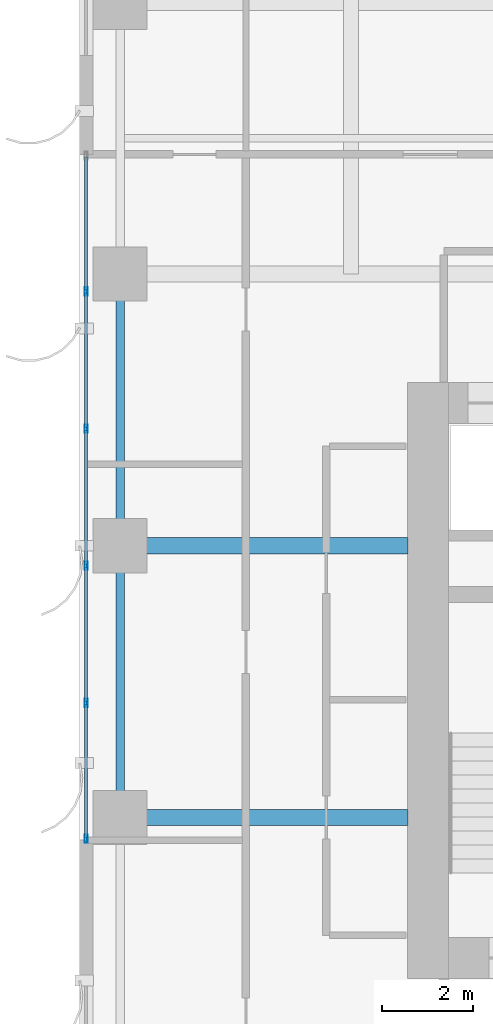
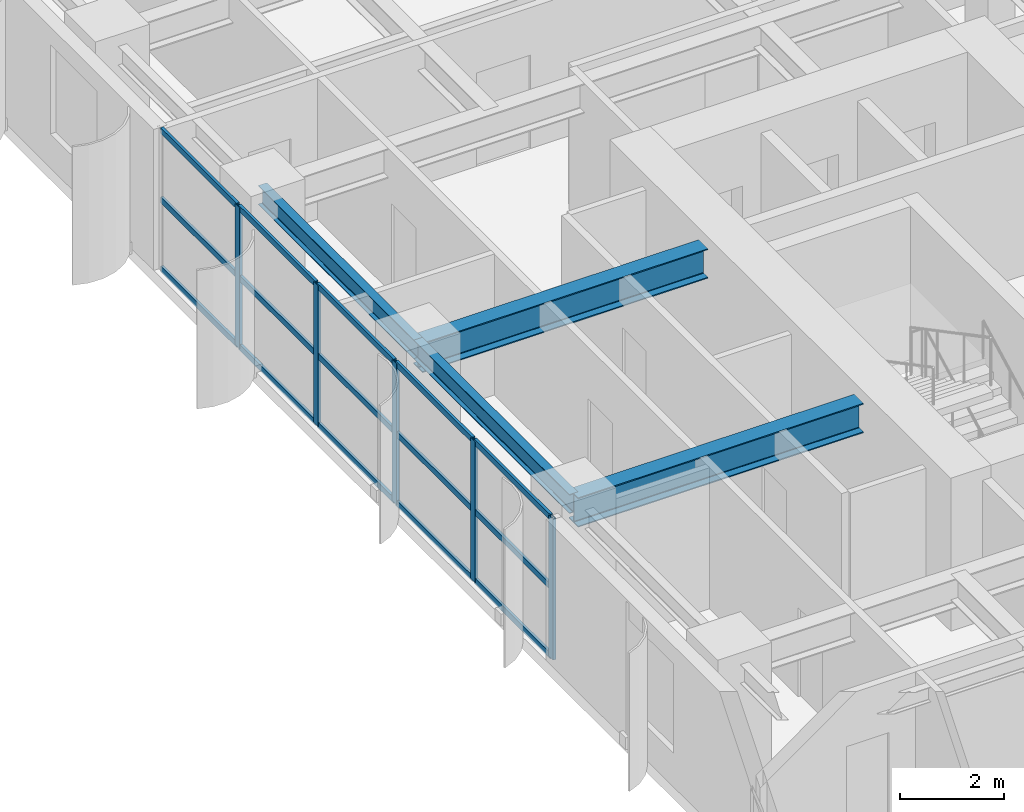
# One storey, part 7 of 25: 20 members, 4 beams, 1 element without a shape of its own.
"""IFC4 building model written with IfcOpenShell, lengths in metres."""

from ifc_helpers import new_model, si_unit, direction, frame, origin, origin_2d, place, context, subcontext, project, spatial, hollow_rectangle, i_section, extrude, source, transform, mapped, material, layer, layer_set, material_profile, profile_set, type_object, element, aggregate, save


model = new_model("IFC4")

# Units and contexts
model_context = context("Model", 3, precision=1e-05, world=origin(), true_north=direction((0.0, 1.0)))
body_context = subcontext(model_context, "Body", "Model", "MODEL_VIEW")
ifc_project = project(units=[si_unit("LENGTHUNIT", "METRE"), si_unit("AREAUNIT", "SQUARE_METRE"), si_unit("VOLUMEUNIT", "CUBIC_METRE"), si_unit("PLANEANGLEUNIT", "RADIAN"), si_unit("MASSUNIT", "GRAM", prefix="KILO")], contexts=[model_context])

# Site, building, storey
site_placement = place(None, origin())
site = spatial("IfcSite", under=ifc_project, at=site_placement, CompositionType="ELEMENT")
building_placement = place(site_placement, origin())
building = spatial("IfcBuilding", under=site, at=building_placement, Name="Khoralis Quay Care Tower", CompositionType="ELEMENT")
storey_placement = place(building_placement, frame((0.0, 0.0, 51.300048828125)))
storey = spatial("IfcBuildingStorey", under=building, at=storey_placement, Name="L13", CompositionType="ELEMENT", Elevation=51.300048828125)

# Beams
ifc_material_1 = material(Name="Steel S355", Category="steel")
ifc_material_profile_1 = material_profile(ifc_material_1, i_section(OverallWidth=0.18994140625, OverallDepth=0.449951171875, WebThickness=0.009521484375, FlangeThickness=0.0146484375, FilletRadius=0.02099609375, at=origin_2d()), Name="Steel S355")
ifc_profile_set_1 = profile_set([ifc_material_profile_1], Name="Steel S355")
beam_type_1 = type_object("IfcBeamType", Name="BM-IPE450", PredefinedType="SPANDREL", material=ifc_profile_set_1)
shared_shape_1 = source(origin(), body_context, "Body", "SweptSolid", [
    extrude(i_section(OverallWidth=0.18994140625, OverallDepth=0.449951171875, WebThickness=0.009521484375, FlangeThickness=0.0146484375, FilletRadius=0.02099609375, at=origin_2d()), origin(), (0.0, 0.0, 1.0), 6.0),
])
for number, where, z_axis, x_axis, name in (
    (1, (0.89990234375, 18.0, 3.094970703125), (0.0, 1.0, 0.0), (-1.0, 0.0, 0.0), "BM-TSP-L13-15"),
    (2, (0.89990234375, 24.0, 3.094970703125), (0.0, 1.0, 0.0), (-1.0, 0.0, 0.0), "BM-TSP-L13-16"),
):
    element("IfcBeam", number, at=place(storey_placement, frame(where, z_axis=z_axis, x_axis=x_axis)), inside=storey, type_object=beam_type_1, Name=name, PredefinedType="SPANDREL", context=body_context, shape_type="MappedRepresentation", body=[
        mapped(shared_shape_1, transform((0.0, 0.0, 0.0), scale=1.0)),
    ])
ifc_material_profile_2 = material_profile(ifc_material_1, i_section(OverallWidth=0.35498046875, OverallDepth=0.695068359375, WebThickness=0.015380859375, FlangeThickness=0.02490234375, FilletRadius=0.02001953125, at=origin_2d()), Name="Steel S355")
ifc_profile_set_2 = profile_set([ifc_material_profile_2], Name="Steel S355")
beam_type_2 = type_object("IfcBeamType", Name="BM-W690X217", PredefinedType="BEAM", material=ifc_profile_set_2)
shared_shape_2 = source(origin(), body_context, "Body", "SweptSolid", [
    extrude(i_section(OverallWidth=0.35498046875, OverallDepth=0.695068359375, WebThickness=0.015380859375, FlangeThickness=0.02490234375, FilletRadius=0.02001953125, at=origin_2d()), origin(), (0.0, 0.0, 1.0), 6.35205078125),
])
for number, where, z_axis, x_axis, name in (
    (3, (0.89990234375, 18.0, 2.972412109375), (1.0, 0.0, 0.0), (0.0, 1.0, 0.0), "BM-TGXW-L13-180"),
    (4, (0.89990234375, 24.0, 2.972412109375), (1.0, 0.0, 0.0), (0.0, 1.0, 0.0), "BM-TGXW-L13-240"),
):
    element("IfcBeam", number, at=place(storey_placement, frame(where, z_axis=z_axis, x_axis=x_axis)), inside=storey, type_object=beam_type_2, Name=name, PredefinedType="BEAM", context=body_context, shape_type="MappedRepresentation", body=[
        mapped(shared_shape_2, transform((0.0, 0.0, 0.0), scale=1.0)),
    ])

# Curtain wall, members
ifc_material_2 = material(Name="Pale anodised aluminium", Category="aluminium")
ifc_layer = layer(ifc_material_2, 0.179931640625)
ifc_layer_set = layer_set([ifc_layer], Name="Pale anodised aluminium")
curtain_wall_type = type_object("IfcCurtainWallType", Name="CW-SYS-Z1", PredefinedType="NOTDEFINED", material=ifc_layer_set)
curtain_wall_placement = place(storey_placement, origin())
curtain_wall = element("IfcCurtainWall", 5, at=curtain_wall_placement, inside=storey, type_object=curtain_wall_type, Name="L13 Unitised Curtain Wall CW-L13-P1-E15", PredefinedType="NOTDEFINED")
ifc_material_profile_3 = material_profile(ifc_material_2, hollow_rectangle(XDim=0.06494140625, YDim=0.179931640625, WallThickness=0.00390625, at=origin_2d()), Name="Pale anodised aluminium")
ifc_profile_set_3 = profile_set([ifc_material_profile_3], Name="Pale anodised aluminium")
member_type_1 = type_object("IfcMemberType", Name="CW-MUL-180", PredefinedType="MULLION", material=ifc_profile_set_3)
shared_shape_3 = source(origin(), body_context, "Body", "SweptSolid", [
    extrude(hollow_rectangle(XDim=0.06494140625, YDim=0.179931640625, WallThickness=0.00390625, at=origin_2d()), origin(), (0.0, 0.0, 1.0), 3.320068359375),
])
member_1_placement = place(storey_placement, frame((0.14990234375, 29.612060546875, 0.0), z_axis=(0.0, 0.0, 1.0), x_axis=(1.0, 0.0, 0.0)))
member_1 = element("IfcMember", 6, at=member_1_placement, type_object=member_type_1, Name="CW1 mullion 2", PredefinedType="MULLION", context=body_context, shape_type="MappedRepresentation", body=[
    mapped(shared_shape_3, transform((0.0, 0.0, 0.0), scale=1.0)),
])
member_2_placement = place(storey_placement, frame((0.14990234375, 26.583984375, 0.0), z_axis=(0.0, 0.0, 1.0), x_axis=(1.0, 0.0, 0.0)))
member_2 = element("IfcMember", 7, at=member_2_placement, type_object=member_type_1, Name="CW1 mullion 3", PredefinedType="MULLION", context=body_context, shape_type="MappedRepresentation", body=[
    mapped(shared_shape_3, transform((0.0, 0.0, 0.0), scale=1.0)),
])
member_3_placement = place(storey_placement, frame((0.14990234375, 23.555908203125, 0.0), z_axis=(0.0, 0.0, 1.0), x_axis=(1.0, 0.0, 0.0)))
member_3 = element("IfcMember", 8, at=member_3_placement, type_object=member_type_1, Name="CW1 mullion 4", PredefinedType="MULLION", context=body_context, shape_type="MappedRepresentation", body=[
    mapped(shared_shape_3, transform((0.0, 0.0, 0.0), scale=1.0)),
])
member_4_placement = place(storey_placement, frame((0.14990234375, 20.528076171875, 0.0), z_axis=(0.0, 0.0, 1.0), x_axis=(1.0, 0.0, 0.0)))
member_4 = element("IfcMember", 9, at=member_4_placement, type_object=member_type_1, Name="CW1 mullion 5", PredefinedType="MULLION", context=body_context, shape_type="MappedRepresentation", body=[
    mapped(shared_shape_3, transform((0.0, 0.0, 0.0), scale=1.0)),
])
member_5_placement = place(storey_placement, frame((0.14990234375, 17.530029296875, 0.0), z_axis=(0.0, 0.0, 1.0), x_axis=(1.0, 0.0, 0.0)))
member_5 = element("IfcMember", 10, at=member_5_placement, type_object=member_type_1, Name="CW1 mullion 6", PredefinedType="MULLION", context=body_context, shape_type="MappedRepresentation", body=[
    mapped(shared_shape_3, transform((0.0, 0.0, 0.0), scale=1.0)),
])
ifc_material_profile_4 = material_profile(ifc_material_2, hollow_rectangle(XDim=0.06005859375, YDim=0.139892578125, WallThickness=0.00390625, at=origin_2d()), Name="Pale anodised aluminium")
ifc_profile_set_4 = profile_set([ifc_material_profile_4], Name="Pale anodised aluminium")
member_type_2 = type_object("IfcMemberType", Name="CW-TRN-140", PredefinedType="USERDEFINED", material=ifc_profile_set_4)
shared_shape_4 = source(origin(), body_context, "Body", "SweptSolid", [
    extrude(hollow_rectangle(XDim=0.06005859375, YDim=0.139892578125, WallThickness=0.00390625, at=origin_2d()), origin(), (0.0, 0.0, 1.0), 2.93798828125),
])
member_6_placement = place(storey_placement, frame((0.14990234375, 32.580078125, 0.030029296875), z_axis=(0.0, -1.0, 0.0), x_axis=(1.0, 0.0, 0.0)))
member_6 = element("IfcMember", 11, at=member_6_placement, type_object=member_type_2, Name="CW1 transom 1.1", ObjectType="TRANSOM", PredefinedType="USERDEFINED", context=body_context, shape_type="MappedRepresentation", body=[
    mapped(shared_shape_4, transform((0.0, 0.0, 0.0), scale=1.0)),
])
member_7_placement = place(storey_placement, frame((0.14990234375, 32.580078125, 1.659912109375), z_axis=(0.0, -1.0, 0.0), x_axis=(1.0, 0.0, 0.0)))
member_7 = element("IfcMember", 12, at=member_7_placement, type_object=member_type_2, Name="CW1 transom 1.2", ObjectType="TRANSOM", PredefinedType="USERDEFINED", context=body_context, shape_type="MappedRepresentation", body=[
    mapped(shared_shape_4, transform((0.0, 0.0, 0.0), scale=1.0)),
])
member_8_placement = place(storey_placement, frame((0.14990234375, 32.580078125, 3.2900390625), z_axis=(0.0, -1.0, 0.0), x_axis=(1.0, 0.0, 0.0)))
member_8 = element("IfcMember", 13, at=member_8_placement, type_object=member_type_2, Name="CW1 transom 1.3", ObjectType="TRANSOM", PredefinedType="USERDEFINED", context=body_context, shape_type="MappedRepresentation", body=[
    mapped(shared_shape_4, transform((0.0, 0.0, 0.0), scale=1.0)),
])
member_9_placement = place(storey_placement, frame((0.14990234375, 20.498046875, 0.030029296875), z_axis=(0.0, -1.0, 0.0), x_axis=(1.0, 0.0, 0.0)))
member_9 = element("IfcMember", 14, at=member_9_placement, type_object=member_type_2, Name="CW1 transom 5.1", ObjectType="TRANSOM", PredefinedType="USERDEFINED", context=body_context, shape_type="MappedRepresentation", body=[
    mapped(shared_shape_4, transform((0.0, 0.0, 0.0), scale=1.0)),
])
member_10_placement = place(storey_placement, frame((0.14990234375, 20.498046875, 1.659912109375), z_axis=(0.0, -1.0, 0.0), x_axis=(1.0, 0.0, 0.0)))
member_10 = element("IfcMember", 15, at=member_10_placement, type_object=member_type_2, Name="CW1 transom 5.2", ObjectType="TRANSOM", PredefinedType="USERDEFINED", context=body_context, shape_type="MappedRepresentation", body=[
    mapped(shared_shape_4, transform((0.0, 0.0, 0.0), scale=1.0)),
])
member_11_placement = place(storey_placement, frame((0.14990234375, 20.498046875, 3.2900390625), z_axis=(0.0, -1.0, 0.0), x_axis=(1.0, 0.0, 0.0)))
member_11 = element("IfcMember", 16, at=member_11_placement, type_object=member_type_2, Name="CW1 transom 5.3", ObjectType="TRANSOM", PredefinedType="USERDEFINED", context=body_context, shape_type="MappedRepresentation", body=[
    mapped(shared_shape_4, transform((0.0, 0.0, 0.0), scale=1.0)),
])
shared_shape_5 = source(origin(), body_context, "Body", "SweptSolid", [
    extrude(hollow_rectangle(XDim=0.06005859375, YDim=0.139892578125, WallThickness=0.00390625, at=origin_2d()), origin(), (0.0, 0.0, 1.0), 2.9677734375),
])
member_12_placement = place(storey_placement, frame((0.14990234375, 23.52587890625, 0.030029296875), z_axis=(0.0, -1.0, 0.0), x_axis=(1.0, 0.0, 0.0)))
member_12 = element("IfcMember", 17, at=member_12_placement, type_object=member_type_2, Name="CW1 transom 4.1", ObjectType="TRANSOM", PredefinedType="USERDEFINED", context=body_context, shape_type="MappedRepresentation", body=[
    mapped(shared_shape_5, transform((0.0, 0.0, 0.0), scale=1.0)),
])
member_13_placement = place(storey_placement, frame((0.14990234375, 23.52587890625, 1.659912109375), z_axis=(0.0, -1.0, 0.0), x_axis=(1.0, 0.0, 0.0)))
member_13 = element("IfcMember", 18, at=member_13_placement, type_object=member_type_2, Name="CW1 transom 4.2", ObjectType="TRANSOM", PredefinedType="USERDEFINED", context=body_context, shape_type="MappedRepresentation", body=[
    mapped(shared_shape_5, transform((0.0, 0.0, 0.0), scale=1.0)),
])
member_14_placement = place(storey_placement, frame((0.14990234375, 23.52587890625, 3.2900390625), z_axis=(0.0, -1.0, 0.0), x_axis=(1.0, 0.0, 0.0)))
member_14 = element("IfcMember", 19, at=member_14_placement, type_object=member_type_2, Name="CW1 transom 4.3", ObjectType="TRANSOM", PredefinedType="USERDEFINED", context=body_context, shape_type="MappedRepresentation", body=[
    mapped(shared_shape_5, transform((0.0, 0.0, 0.0), scale=1.0)),
])
shared_shape_6 = source(origin(), body_context, "Body", "SweptSolid", [
    extrude(hollow_rectangle(XDim=0.06005859375, YDim=0.139892578125, WallThickness=0.00390625, at=origin_2d()), origin(), (0.0, 0.0, 1.0), 2.968017578125),
])
member_15_placement = place(storey_placement, frame((0.14990234375, 29.58203125, 0.030029296875), z_axis=(0.0, -1.0, 0.0), x_axis=(1.0, 0.0, 0.0)))
member_15 = element("IfcMember", 20, at=member_15_placement, type_object=member_type_2, Name="CW1 transom 2.1", ObjectType="TRANSOM", PredefinedType="USERDEFINED", context=body_context, shape_type="MappedRepresentation", body=[
    mapped(shared_shape_6, transform((0.0, 0.0, 0.0), scale=1.0)),
])
member_16_placement = place(storey_placement, frame((0.14990234375, 29.58203125, 1.659912109375), z_axis=(0.0, -1.0, 0.0), x_axis=(1.0, 0.0, 0.0)))
member_16 = element("IfcMember", 21, at=member_16_placement, type_object=member_type_2, Name="CW1 transom 2.2", ObjectType="TRANSOM", PredefinedType="USERDEFINED", context=body_context, shape_type="MappedRepresentation", body=[
    mapped(shared_shape_6, transform((0.0, 0.0, 0.0), scale=1.0)),
])
member_17_placement = place(storey_placement, frame((0.14990234375, 29.58203125, 3.2900390625), z_axis=(0.0, -1.0, 0.0), x_axis=(1.0, 0.0, 0.0)))
member_17 = element("IfcMember", 22, at=member_17_placement, type_object=member_type_2, Name="CW1 transom 2.3", ObjectType="TRANSOM", PredefinedType="USERDEFINED", context=body_context, shape_type="MappedRepresentation", body=[
    mapped(shared_shape_6, transform((0.0, 0.0, 0.0), scale=1.0)),
])
member_18_placement = place(storey_placement, frame((0.14990234375, 26.553955078125, 0.030029296875), z_axis=(0.0, -1.0, 0.0), x_axis=(1.0, 0.0, 0.0)))
member_18 = element("IfcMember", 23, at=member_18_placement, type_object=member_type_2, Name="CW1 transom 3.1", ObjectType="TRANSOM", PredefinedType="USERDEFINED", context=body_context, shape_type="MappedRepresentation", body=[
    mapped(shared_shape_6, transform((0.0, 0.0, 0.0), scale=1.0)),
])
member_19_placement = place(storey_placement, frame((0.14990234375, 26.553955078125, 1.659912109375), z_axis=(0.0, -1.0, 0.0), x_axis=(1.0, 0.0, 0.0)))
member_19 = element("IfcMember", 24, at=member_19_placement, type_object=member_type_2, Name="CW1 transom 3.2", ObjectType="TRANSOM", PredefinedType="USERDEFINED", context=body_context, shape_type="MappedRepresentation", body=[
    mapped(shared_shape_6, transform((0.0, 0.0, 0.0), scale=1.0)),
])
member_20_placement = place(storey_placement, frame((0.14990234375, 26.553955078125, 3.2900390625), z_axis=(0.0, -1.0, 0.0), x_axis=(1.0, 0.0, 0.0)))
member_20 = element("IfcMember", 25, at=member_20_placement, type_object=member_type_2, Name="CW1 transom 3.3", ObjectType="TRANSOM", PredefinedType="USERDEFINED", context=body_context, shape_type="MappedRepresentation", body=[
    mapped(shared_shape_6, transform((0.0, 0.0, 0.0), scale=1.0)),
])
aggregate(curtain_wall, [member_1, member_2, member_3, member_4, member_5, member_6, member_7, member_8, member_15, member_16, member_17, member_18, member_19, member_20, member_12, member_13, member_14, member_9, member_10, member_11])

save(model, "model.ifc")
